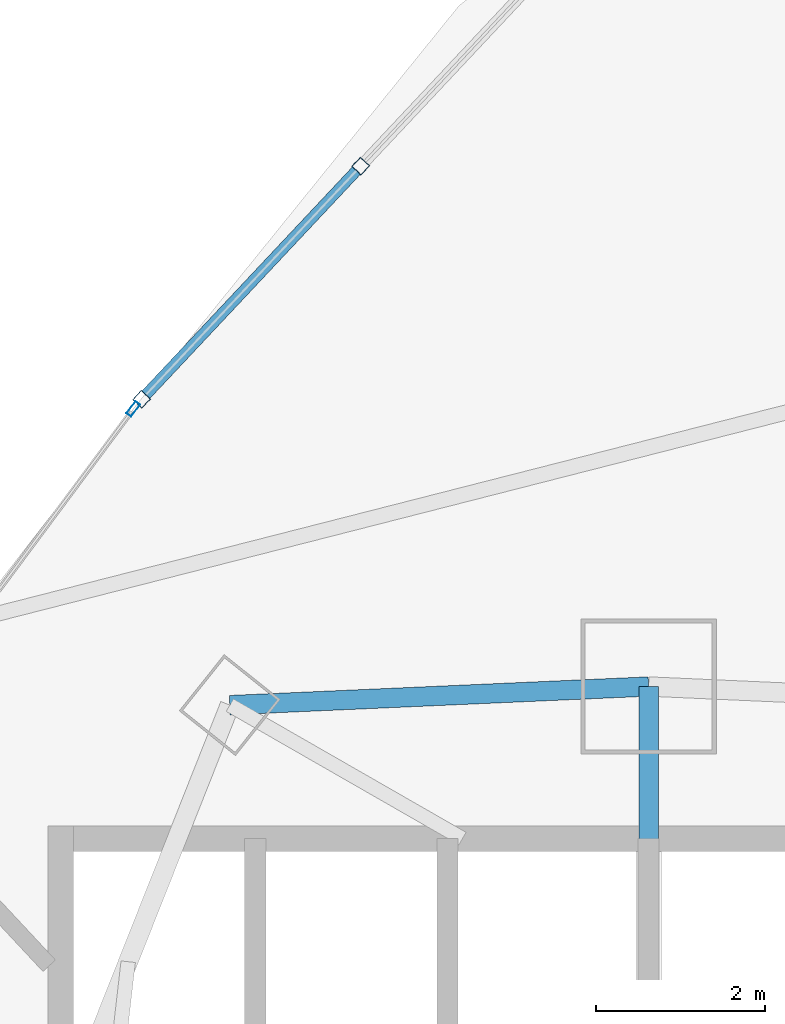
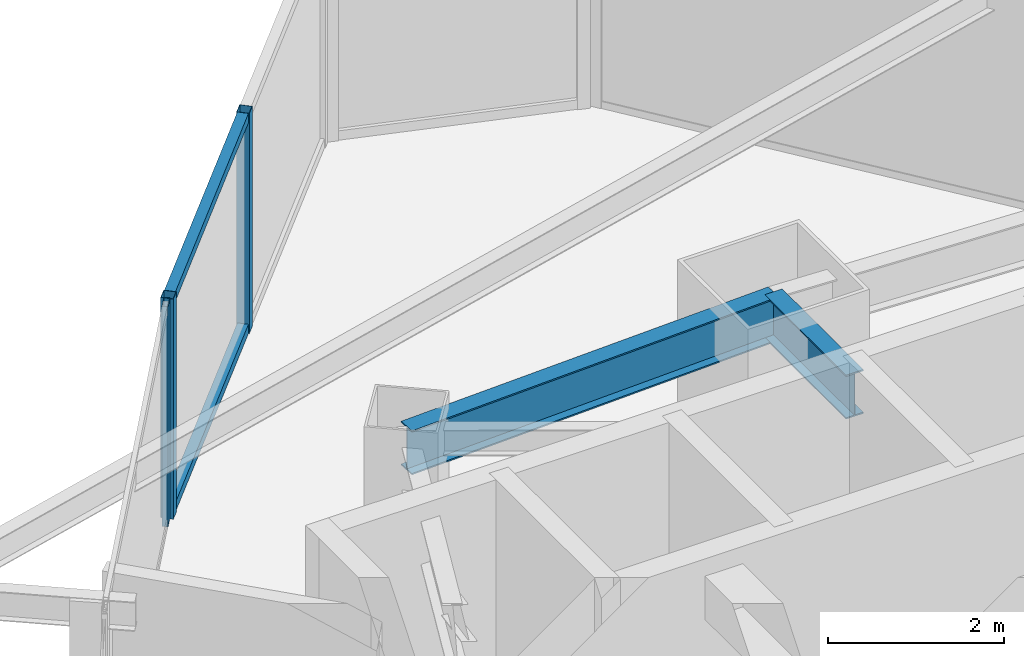
# One storey, part 21 of 33: 5 members, 2 beams, 2 elements without a shape of their own.
"""IFC4 building model written with IfcOpenShell, lengths in metres."""

from ifc_helpers import new_model, si_unit, direction, frame, origin, origin_2d, place, context, subcontext, project, spatial, hollow_rectangle, i_section, extrude, material, layer, layer_set, material_profile, profile_set, type_object, element, aggregate, save


model = new_model("IFC4")

# Units and contexts
model_context = context("Model", 3, precision=1e-05, world=origin(), true_north=direction((0.0, 1.0)))
body_context = subcontext(model_context, "Body", "Model", "MODEL_VIEW")
ifc_project = project(units=[si_unit("LENGTHUNIT", "METRE"), si_unit("AREAUNIT", "SQUARE_METRE"), si_unit("VOLUMEUNIT", "CUBIC_METRE"), si_unit("PLANEANGLEUNIT", "RADIAN"), si_unit("MASSUNIT", "GRAM", prefix="KILO")], contexts=[model_context])

# Site, building, storey
site_placement = place(None, origin())
site = spatial("IfcSite", under=ifc_project, at=site_placement, CompositionType="ELEMENT")
building_placement = place(site_placement, origin())
building = spatial("IfcBuilding", under=site, at=building_placement, Name="Orvanel Arch Residences", CompositionType="ELEMENT")
storey_placement = place(building_placement, frame((0.0, 0.0, 90.64990234375)))
storey = spatial("IfcBuildingStorey", under=building, at=storey_placement, Name="L25", CompositionType="ELEMENT", Elevation=90.64990234375)

# Beam
ifc_material_1 = material(Name="Structural steel AS/NZS 3679.1 Grade 300 (300 MPa)", Category="steel")
ifc_material_profile_1 = material_profile(ifc_material_1, i_section(OverallWidth=0.22900390625, OverallDepth=0.612060546875, WebThickness=0.011962890625, FlangeThickness=0.01953125, at=origin_2d()), Name="610UB125")
ifc_profile_set_1 = profile_set([ifc_material_profile_1], Name="Structural steel AS/NZS 3679.1 Grade 300 (300 MPa)")
beam_type_1 = type_object("IfcBeamType", Name="BG-610UB", PredefinedType="BEAM", material=ifc_profile_set_1)
beam_1_placement = place(storey_placement, frame((33.0, 39.550048828125, 2.754150390625), z_axis=(0.0, 1.0, 0.0), x_axis=(-1.0, 0.0, 0.0)))
element("IfcBeam", 1, at=beam_1_placement, inside=storey, type_object=beam_type_1, Name="L25 North Radial Girder", PredefinedType="BEAM", context=body_context, shape_type="SweptSolid", body=[
    extrude(i_section(OverallWidth=0.22900390625, OverallDepth=0.612060546875, WebThickness=0.011962890625, FlangeThickness=0.01953125, at=origin_2d()), origin(), (0.0, 0.0, 1.0), 1.847900390625),
])

# Curtain wall, members
ifc_material_2 = material(Name="Bronze-anodised aluminium AA6063-T6", Category="aluminium")
ifc_layer_1 = layer(ifc_material_2, 0.18994140625)
ifc_layer_set_1 = layer_set([ifc_layer_1], Name="Bronze-anodised aluminium AA6063-T6")
curtain_wall_type_1 = type_object("IfcCurtainWallType", Name="CW5-CRN-SYS", PredefinedType="NOTDEFINED", material=ifc_layer_set_1)
curtain_wall_1_placement = place(storey_placement, origin())
curtain_wall_1 = element("IfcCurtainWall", 2, at=curtain_wall_1_placement, inside=storey, type_object=curtain_wall_type_1, Name="L25 CW5-CRN-SYS Unitised Curtain Wall", PredefinedType="NOTDEFINED")
ifc_material_profile_2 = material_profile(ifc_material_2, hollow_rectangle(XDim=0.14990234375, YDim=0.14990234375, WallThickness=0.0048828125, at=origin_2d()), Name="ALU150x150x5")
ifc_profile_set_2 = profile_set([ifc_material_profile_2], Name="Bronze-anodised aluminium AA6063-T6")
member_type_1 = type_object("IfcMemberType", Name="MUL-150x150", PredefinedType="MULLION", material=ifc_profile_set_2)
member_1_placement = place(storey_placement, frame((29.596923828125, 47.549560546875, 0.0), z_axis=(0.0, 0.0, 1.0), x_axis=(0.72886179286, -0.684660855394, 0.0)))
member_1 = element("IfcMember", 3, at=member_1_placement, type_object=member_type_1, Name="CW-S5 mullion 2", PredefinedType="MULLION", context=body_context, shape_type="SweptSolid", body=[
    extrude(hollow_rectangle(XDim=0.14990234375, YDim=0.14990234375, WallThickness=0.0048828125, at=origin_2d()), origin(), (0.0, 0.0, 1.0), 3.06005859375),
])
member_2_placement = place(storey_placement, frame((27.00732421875, 44.792724609375, 0.0), z_axis=(0.0, 0.0, 1.0), x_axis=(0.72886179286, -0.684660855394, 0.0)))
member_2 = element("IfcMember", 4, at=member_2_placement, type_object=member_type_1, Name="CW-S5 mullion 3", PredefinedType="MULLION", context=body_context, shape_type="SweptSolid", body=[
    extrude(hollow_rectangle(XDim=0.14990234375, YDim=0.14990234375, WallThickness=0.0048828125, at=origin_2d()), origin(), (0.0, 0.0, 1.0), 3.06005859375),
])

# Curtain wall, member
ifc_layer_2 = layer(ifc_material_2, 0.179931640625)
ifc_layer_set_2 = layer_set([ifc_layer_2], Name="Bronze-anodised aluminium AA6063-T6")
curtain_wall_type_2 = type_object("IfcCurtainWallType", Name="CW2-LOW-SYS", PredefinedType="NOTDEFINED", material=ifc_layer_set_2)
curtain_wall_2_placement = place(storey_placement, origin())
curtain_wall_2 = element("IfcCurtainWall", 5, at=curtain_wall_2_placement, inside=storey, type_object=curtain_wall_type_2, Name="L25 CW2-LOW-SYS Unitised Curtain Wall", PredefinedType="NOTDEFINED")
ifc_material_profile_3 = material_profile(ifc_material_2, hollow_rectangle(XDim=0.070068359375, YDim=0.179931640625, WallThickness=0.00439453125, at=origin_2d()), Name="ALU180x70x4.5")
ifc_profile_set_3 = profile_set([ifc_material_profile_3], Name="Bronze-anodised aluminium AA6063-T6")
member_type_2 = type_object("IfcMemberType", Name="MUL-180x70", PredefinedType="MULLION", material=ifc_profile_set_3)
member_3_placement = place(storey_placement, frame((26.9091796875, 44.678955078125, 0.0), z_axis=(0.0, 0.0, 1.0), x_axis=(0.802592798057, -0.596527283959, 0.0)))
member_3 = element("IfcMember", 6, at=member_3_placement, type_object=member_type_2, Name="CW-S2 mullion 1", PredefinedType="MULLION", context=body_context, shape_type="SweptSolid", body=[
    extrude(hollow_rectangle(XDim=0.070068359375, YDim=0.179931640625, WallThickness=0.00439453125, at=origin_2d()), origin(), (0.0, 0.0, 1.0), 3.06005859375),
])
aggregate(curtain_wall_2, [member_3])

# Beam
ifc_material_profile_4 = material_profile(ifc_material_1, i_section(OverallWidth=0.22900390625, OverallDepth=0.612060546875, WebThickness=0.011962890625, FlangeThickness=0.01953125, at=origin_2d()), Name="610UB125")
ifc_profile_set_4 = profile_set([ifc_material_profile_4], Name="Structural steel AS/NZS 3679.1 Grade 300 (300 MPa)")
beam_type_2 = type_object("IfcBeamType", Name="SP-610UB", PredefinedType="SPANDREL", material=ifc_profile_set_4)
beam_2_placement = place(storey_placement, frame((33.0, 41.39794921875, 2.754150390625), z_axis=(-0.999014049296, -0.044395149614, 0.0), x_axis=(0.044395149614, -0.999014049296, 0.0)))
element("IfcBeam", 7, at=beam_2_placement, inside=storey, type_object=beam_type_2, Name="L25 Perimeter Spandrel Beam 17", PredefinedType="SPANDREL", context=body_context, shape_type="SweptSolid", body=[
    extrude(i_section(OverallWidth=0.22900390625, OverallDepth=0.612060546875, WebThickness=0.011962890625, FlangeThickness=0.01953125, at=origin_2d()), origin(), (0.0, 0.0, 1.0), 4.954833984375),
])

# Member
ifc_material_profile_5 = material_profile(ifc_material_2, hollow_rectangle(XDim=0.1298828125, YDim=0.1298828125, WallThickness=0.00439453125, at=origin_2d()), Name="ALU130x130x4.5")
ifc_profile_set_5 = profile_set([ifc_material_profile_5], Name="Bronze-anodised aluminium AA6063-T6")
member_type_3 = type_object("IfcMemberType", Name="TRN-130x130", PredefinedType="USERDEFINED", material=ifc_profile_set_5)
member_4_placement = place(storey_placement, frame((29.545654296875, 47.494873046875, 0.065185546875), z_axis=(-0.68468303521, -0.728840957477, 0.0), x_axis=(0.728840957477, -0.68468303521, 0.0)))
member_4 = element("IfcMember", 8, at=member_4_placement, type_object=member_type_3, Name="CW-S5 transom 2.1", ObjectType="TRANSOM", PredefinedType="USERDEFINED", context=body_context, shape_type="SweptSolid", body=[
    extrude(hollow_rectangle(XDim=0.1298828125, YDim=0.1298828125, WallThickness=0.00439453125, at=origin_2d()), origin(), (0.0, 0.0, 1.0), 3.63232421875),
])

member_5_placement = place(storey_placement, frame((29.545654296875, 47.494873046875, 2.9951171875), z_axis=(-0.68468303521, -0.728840957477, 0.0), x_axis=(0.728840957477, -0.68468303521, 0.0)))
member_5 = element("IfcMember", 9, at=member_5_placement, type_object=member_type_3, Name="CW-S5 transom 2.2", ObjectType="TRANSOM", PredefinedType="USERDEFINED", context=body_context, shape_type="SweptSolid", body=[
    extrude(hollow_rectangle(XDim=0.1298828125, YDim=0.1298828125, WallThickness=0.00439453125, at=origin_2d()), origin(), (0.0, 0.0, 1.0), 3.63232421875),
])

aggregate(curtain_wall_1, [member_1, member_2, member_4, member_5])

save(model, "model.ifc")
